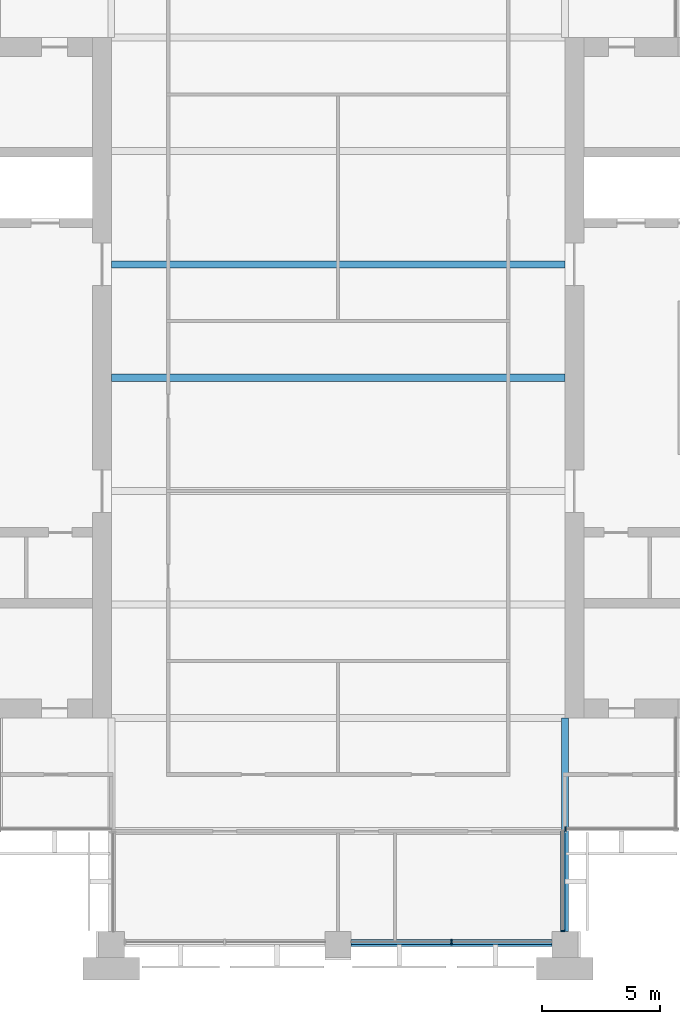
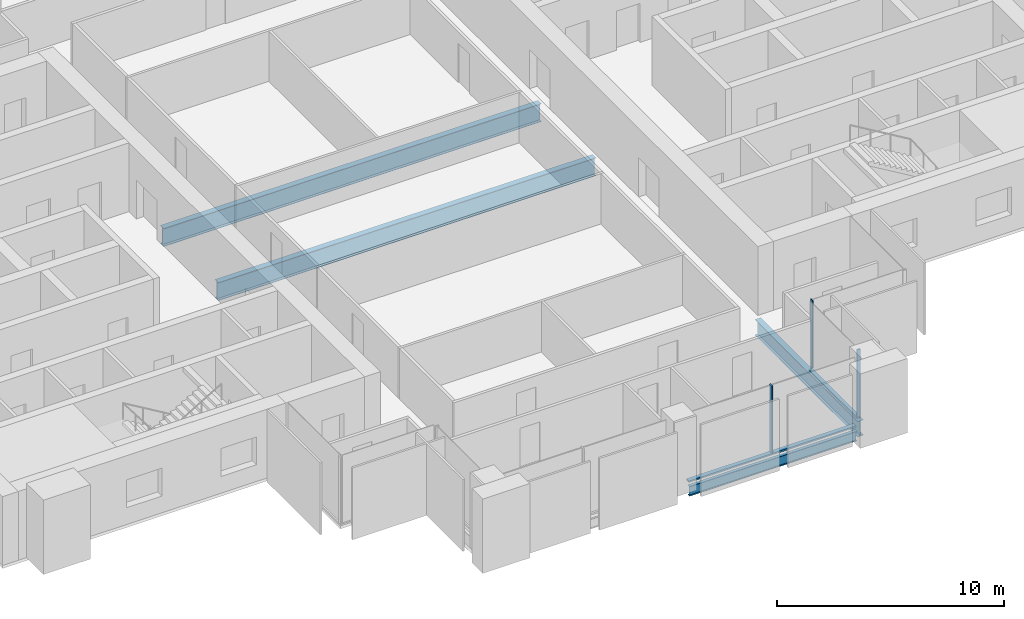
# One storey, part 3 of 13: 5 members, 4 beams, 3 elements without a shape of their own.
"""IFC4 building model written with IfcOpenShell, lengths in metres."""

from ifc_helpers import new_model, si_unit, direction, frame, origin, origin_2d, place, context, subcontext, project, spatial, rectangle, i_section, extrude, material, material_profile, profile_set, type_object, element, aggregate, save


model = new_model("IFC4")

# Units and contexts
model_context = context("Model", 3, precision=1e-05, world=origin(), true_north=direction((0.0, 1.0)))
body_context = subcontext(model_context, "Body", "Model", "MODEL_VIEW")
ifc_project = project(units=[si_unit("LENGTHUNIT", "METRE"), si_unit("AREAUNIT", "SQUARE_METRE"), si_unit("VOLUMEUNIT", "CUBIC_METRE"), si_unit("PLANEANGLEUNIT", "RADIAN"), si_unit("MASSUNIT", "GRAM", prefix="KILO")], contexts=[model_context])

# Site, building, storey
site_placement = place(None, origin())
site = spatial("IfcSite", under=ifc_project, at=site_placement, CompositionType="ELEMENT")
building_placement = place(site_placement, origin())
building = spatial("IfcBuilding", under=site, at=building_placement, Name="Baori Bourse Tower", CompositionType="ELEMENT")
storey_placement = place(building_placement, frame((0.0, 0.0, 261.199951171875)))
storey = spatial("IfcBuildingStorey", under=building, at=storey_placement, Name="L58", CompositionType="ELEMENT", Elevation=261.199951171875)

# Curtain wall, member
ifc_material_1 = material(Name="Pale anodised aluminium", Category="aluminium")
curtain_wall_type_1 = type_object("IfcCurtainWallType", Name="CW2 Curtain wall", PredefinedType="NOTDEFINED", material=ifc_material_1)
curtain_wall_1_placement = place(storey_placement, origin())
curtain_wall_1 = element("IfcCurtainWall", 1, at=curtain_wall_1_placement, inside=storey, type_object=curtain_wall_type_1, Name="Curtain wall CW2 L58 12", PredefinedType="NOTDEFINED")
ifc_material_2 = material(Name="Pale anodised aluminium", Category="aluminium")
ifc_material_profile_1 = material_profile(ifc_material_2, rectangle(XDim=0.179931640625, YDim=0.054931640625, at=origin_2d()), Name="Mullion 55x180")
ifc_profile_set_1 = profile_set([ifc_material_profile_1], Name="Pale anodised aluminium")
member_type_1 = type_object("IfcMemberType", Name="CW2 Curtain wall mullion", PredefinedType="MULLION", material=ifc_profile_set_1)
member_1_placement = place(storey_placement, frame((38.31005859375, 0.577392578125, 0.070068359375), z_axis=(0.0, 0.0, 1.0), x_axis=(-1.0, 0.0, 0.0)))
member_1 = element("IfcMember", 2, at=member_1_placement, type_object=member_type_1, Name="Curtain wall CW2 mullion", PredefinedType="MULLION", context=body_context, shape_type="SweptSolid", body=[
    extrude(rectangle(XDim=0.179931640625, YDim=0.054931640625, at=origin_2d()), origin(), (0.0, 0.0, 1.0), 3.6298828125),
])

curtain_wall_2_placement = place(storey_placement, origin())
curtain_wall_2 = element("IfcCurtainWall", 3, at=curtain_wall_2_placement, inside=storey, type_object=curtain_wall_type_1, Name="Curtain wall CW2 L58 13", PredefinedType="NOTDEFINED")
member_2_placement = place(storey_placement, frame((38.427490234375, 4.889892578125, 0.070068359375), z_axis=(0.0, 0.0, 1.0), x_axis=(0.0, 1.0, 0.0)))
member_2 = element("IfcMember", 4, at=member_2_placement, type_object=member_type_1, Name="Curtain wall CW2 mullion", PredefinedType="MULLION", context=body_context, shape_type="SweptSolid", body=[
    extrude(rectangle(XDim=0.179931640625, YDim=0.054931640625, at=origin_2d()), origin(), (0.0, 0.0, 1.0), 3.6298828125),
])
aggregate(curtain_wall_2, [member_2])

# Member
ifc_material_3 = material(Name="Pale anodised aluminium", Category="aluminium")
ifc_material_profile_2 = material_profile(ifc_material_3, rectangle(XDim=0.179931640625, YDim=0.070068359375, at=origin_2d()), Name="Transom 70x180")
ifc_profile_set_2 = profile_set([ifc_material_profile_2], Name="Pale anodised aluminium")
member_type_2 = type_object("IfcMemberType", Name="CW2 Curtain wall transom", PredefinedType="USERDEFINED", material=ifc_profile_set_2)
member_3_placement = place(storey_placement, frame((38.31005859375, 0.550048828125, 0.03515625), z_axis=(0.0, 1.0, 0.0), x_axis=(-1.0, 0.0, 0.0)))
member_3 = element("IfcMember", 5, at=member_3_placement, type_object=member_type_2, Name="Curtain wall CW2 sill rail", ObjectType="TRANSOM", PredefinedType="USERDEFINED", context=body_context, shape_type="SweptSolid", body=[
    extrude(rectangle(XDim=0.179931640625, YDim=0.070068359375, at=origin_2d()), origin(), (0.0, 0.0, 1.0), 4.25),
])

aggregate(curtain_wall_1, [member_3, member_1])

# Curtain wall, members
ifc_material_4 = material(Name="Pale anodised aluminium", Category="aluminium")
curtain_wall_type_2 = type_object("IfcCurtainWallType", Name="CW5 Curtain wall", PredefinedType="NOTDEFINED", material=ifc_material_4)
curtain_wall_3_placement = place(storey_placement, origin())
curtain_wall_3 = element("IfcCurtainWall", 6, at=curtain_wall_3_placement, inside=storey, type_object=curtain_wall_type_2, Name="Curtain wall CW5 L58 11", PredefinedType="NOTDEFINED")
ifc_material_5 = material(Name="Pale anodised aluminium", Category="aluminium")
ifc_material_profile_3 = material_profile(ifc_material_5, rectangle(XDim=0.219970703125, YDim=0.06494140625, at=origin_2d()), Name="Mullion 65x220")
ifc_profile_set_3 = profile_set([ifc_material_profile_3], Name="Pale anodised aluminium")
member_type_3 = type_object("IfcMemberType", Name="CW5 Curtain wall mullion", PredefinedType="MULLION", material=ifc_profile_set_3)
member_4_placement = place(storey_placement, frame((33.60009765625, 0.110107421875, 0.0849609375), z_axis=(0.0, 0.0, 1.0), x_axis=(0.0, 1.0, 0.0)))
member_4 = element("IfcMember", 7, at=member_4_placement, type_object=member_type_3, Name="Curtain wall CW5 mullion", PredefinedType="MULLION", context=body_context, shape_type="SweptSolid", body=[
    extrude(rectangle(XDim=0.219970703125, YDim=0.06494140625, at=origin_2d()), origin(), (0.0, 0.0, 1.0), 3.614990234375),
])
ifc_material_6 = material(Name="Pale anodised aluminium", Category="aluminium")
ifc_material_profile_4 = material_profile(ifc_material_6, rectangle(XDim=0.219970703125, YDim=0.0849609375, at=origin_2d()), Name="Transom 85x220")
ifc_profile_set_4 = profile_set([ifc_material_profile_4], Name="Pale anodised aluminium")
member_type_4 = type_object("IfcMemberType", Name="CW5 Curtain wall transom", PredefinedType="USERDEFINED", material=ifc_profile_set_4)
member_5_placement = place(storey_placement, frame((29.35009765625, 0.110107421875, 0.04248046875), z_axis=(1.0, 0.0, 0.0), x_axis=(0.0, 1.0, 0.0)))
member_5 = element("IfcMember", 8, at=member_5_placement, type_object=member_type_4, Name="Curtain wall CW5 sill rail", ObjectType="TRANSOM", PredefinedType="USERDEFINED", context=body_context, shape_type="SweptSolid", body=[
    extrude(rectangle(XDim=0.219970703125, YDim=0.0849609375, at=origin_2d()), origin(), (0.0, 0.0, 1.0), 8.5),
])
aggregate(curtain_wall_3, [member_5, member_4])

# Beams
ifc_material_7 = material(Name="Steel A992 Gr 50", Category="steel")
ifc_material_profile_5 = material_profile(ifc_material_7, i_section(OverallWidth=0.1650390625, OverallDepth=0.52587890625, WebThickness=0.0087890625, FlangeThickness=0.011474609375, at=origin_2d()), Name="W21x44")
ifc_profile_set_5 = profile_set([ifc_material_profile_5], Name="Steel A992 Gr 50")
beam_type_1 = type_object("IfcBeamType", Name="Edge beam W21x44", PredefinedType="BEAM", material=ifc_profile_set_5)
beam_1_placement = place(storey_placement, frame((29.35009765625, 0.0, -0.4228515625), z_axis=(1.0, 0.0, 0.0), x_axis=(0.0, 1.0, 0.0)))
element("IfcBeam", 9, at=beam_1_placement, inside=storey, type_object=beam_type_1, Name="Edge beam L58", PredefinedType="BEAM", context=body_context, shape_type="SweptSolid", body=[
    extrude(i_section(OverallWidth=0.1650390625, OverallDepth=0.52587890625, WebThickness=0.0087890625, FlangeThickness=0.011474609375, at=origin_2d()), origin(), (0.0, 0.0, 1.0), 8.5),
])
ifc_material_8 = material(Name="Steel A992 Gr 50", Category="steel")
ifc_material_profile_6 = material_profile(ifc_material_8, i_section(OverallWidth=0.2998046875, OverallDepth=0.97021484375, WebThickness=0.01611328125, FlangeThickness=0.02099609375, at=origin_2d()), Name="W40x149")
ifc_profile_set_6 = profile_set([ifc_material_profile_6], Name="Steel A992 Gr 50")
beam_type_2 = type_object("IfcBeamType", Name="Floor beam W40x149", PredefinedType="BEAM", material=ifc_profile_set_6)
for number, where, z_axis, x_axis, name in (
    (10, (19.199951171875, 24.0, -0.64501953125), (1.0, 0.0, 0.0), (0.0, 1.0, 0.0), "Floor beam L58"),
    (11, (19.199951171875, 28.800048828125, -0.64501953125), (1.0, 0.0, 0.0), (0.0, 1.0, 0.0), "Floor beam L58"),
):
    element("IfcBeam", number, at=place(storey_placement, frame(where, z_axis=z_axis, x_axis=x_axis)), inside=storey, type_object=beam_type_2, Name=name, PredefinedType="BEAM", context=body_context, shape_type="SweptSolid", body=[
        extrude(i_section(OverallWidth=0.2998046875, OverallDepth=0.97021484375, WebThickness=0.01611328125, FlangeThickness=0.02099609375, at=origin_2d()), origin(), (0.0, 0.0, 1.0), 19.199951171875),
    ])
ifc_material_9 = material(Name="Steel A992 Gr 50", Category="steel")
ifc_material_profile_7 = material_profile(ifc_material_9, i_section(OverallWidth=0.2919921875, OverallDepth=0.835693359375, WebThickness=0.013916015625, FlangeThickness=0.018798828125, at=origin_2d()), Name="W33x118")
ifc_profile_set_7 = profile_set([ifc_material_profile_7], Name="Steel A992 Gr 50")
beam_type_3 = type_object("IfcBeamType", Name="Girder W33x118", PredefinedType="BEAM", material=ifc_profile_set_7)
beam_2_placement = place(storey_placement, frame((38.39990234375, 0.550048828125, -0.577880859375), z_axis=(0.0, 1.0, 0.0), x_axis=(-1.0, 0.0, 0.0)))
element("IfcBeam", 12, at=beam_2_placement, inside=storey, type_object=beam_type_3, Name="Girder L58", PredefinedType="BEAM", context=body_context, shape_type="SweptSolid", body=[
    extrude(i_section(OverallWidth=0.2919921875, OverallDepth=0.835693359375, WebThickness=0.013916015625, FlangeThickness=0.018798828125, at=origin_2d()), origin(), (0.0, 0.0, 1.0), 9.050048828125),
])

save(model, "model.ifc")
